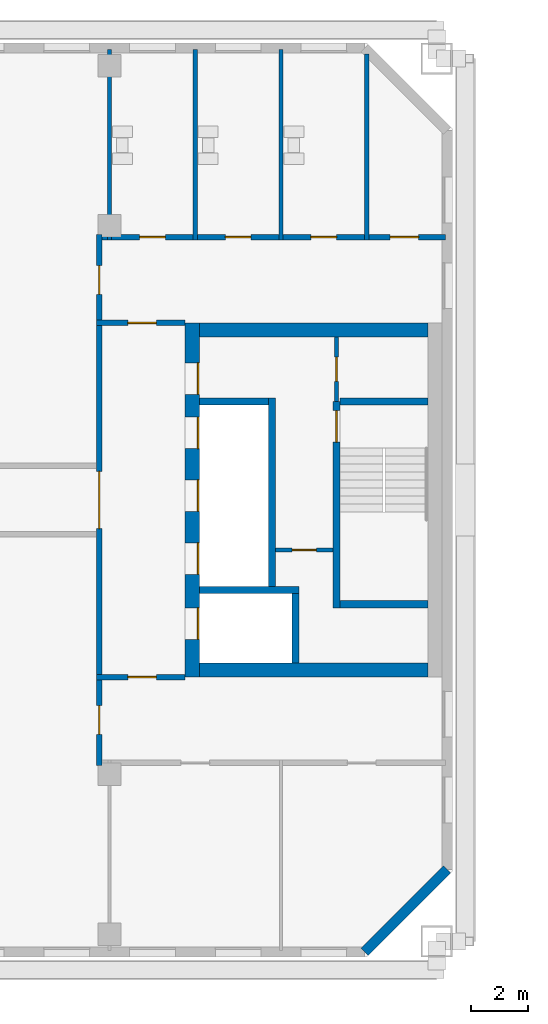
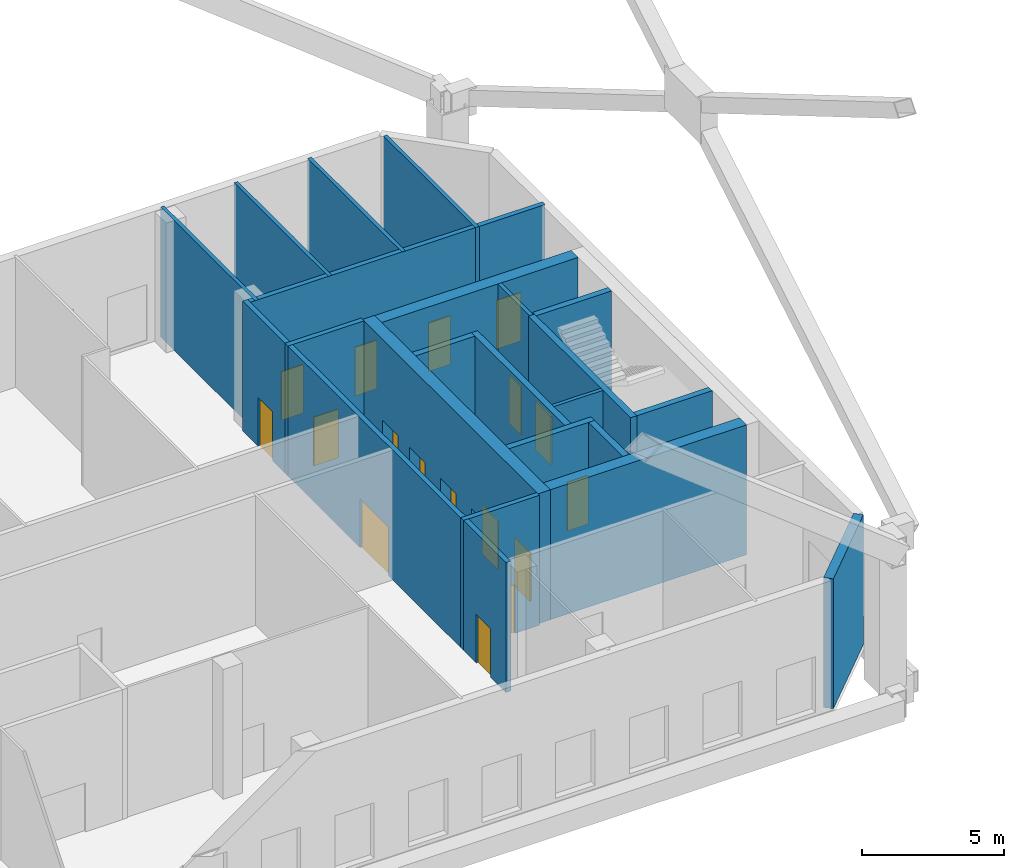
# One storey, part 11 of 20: 23 walls, 17 doors, 17 openings.
"""IFC4 building model written with IfcOpenShell, lengths in metres."""

from ifc_helpers import new_model, si_unit, direction, frame, frame_2d, origin, place, context, subcontext, project, spatial, rectangle, extrude, material, layer, layer_set, type_object, element, fill, save


model = new_model("IFC4")

# Units and contexts
model_context = context("Model", 3, precision=1e-05, world=origin(), true_north=direction((0.0, 1.0)))
body_context = subcontext(model_context, "Body", "Model", "MODEL_VIEW")
ifc_project = project(units=[si_unit("LENGTHUNIT", "METRE"), si_unit("AREAUNIT", "SQUARE_METRE"), si_unit("VOLUMEUNIT", "CUBIC_METRE"), si_unit("PLANEANGLEUNIT", "RADIAN"), si_unit("MASSUNIT", "GRAM", prefix="KILO")], contexts=[model_context])

# Site, building, storey
site_placement = place(None, origin())
site = spatial("IfcSite", under=ifc_project, at=site_placement, CompositionType="ELEMENT")
building_placement = place(site_placement, origin())
building = spatial("IfcBuilding", under=site, at=building_placement, Name="Tuart Gate Housing", CompositionType="ELEMENT")
storey_placement = place(building_placement, frame((0.0, 0.0, 142.300048828125)))
storey = spatial("IfcBuildingStorey", under=building, at=storey_placement, Name="L40", CompositionType="ELEMENT", Elevation=142.300048828125)

# Walls
ifc_material_1 = material(Name="Gypsum board on steel studs", Category="steel")
ifc_layer_1 = layer(ifc_material_1, 0.14990234375)
ifc_layer_set_1 = layer_set([ifc_layer_1], Name="Bathroom wall 150")
wall_type_1 = type_object("IfcWallType", Name="Bathroom wall 150", PredefinedType="PLUMBINGWALL", material=ifc_layer_set_1)
for number, where, z_axis, x_axis, name in (
    (1, (64.0, 79.10009765625, 0.0), (0.0, 0.0, 1.0), (0.0, 1.0, 0.0), "Bathroom wall 150"),
    (2, (67.0, 79.10009765625, 0.0), (0.0, 0.0, 1.0), (0.0, 1.0, 0.0), "Bathroom wall 150"),
    (3, (70.0, 79.10009765625, 0.0), (0.0, 0.0, 1.0), (0.0, 1.0, 0.0), "Bathroom wall 150"),
):
    element("IfcWall", number, at=place(storey_placement, frame(where, z_axis=z_axis, x_axis=x_axis)), inside=storey, type_object=wall_type_1, Name=name, PredefinedType="PLUMBINGWALL", context=body_context, shape_type="SweptSolid", body=[
        extrude(rectangle(XDim=6.659912109375, YDim=0.14990234375, at=frame_2d((3.330078125, 0.0))), origin(), (0.0, 0.0, 1.0), 5.599853515625),
    ])
wall_1_placement = place(storey_placement, frame((73.0, 79.10009765625, 0.0), z_axis=(0.0, 0.0, 1.0), x_axis=(0.0, 1.0, 0.0)))
element("IfcWall", 4, at=wall_1_placement, inside=storey, type_object=wall_type_1, Name="Bathroom wall 150", PredefinedType="PLUMBINGWALL", context=body_context, shape_type="SweptSolid", body=[
    extrude(rectangle(XDim=6.510986328125, YDim=0.14990234375, at=frame_2d((3.25537109375, 0.0))), origin(), (0.0, 0.0, 1.0), 5.599853515625),
])
ifc_material_2 = material(Name="Brick", Category="masonry")
ifc_layer_2 = layer(ifc_material_2, 0.360107421875)
ifc_layer_set_2 = layer_set([ifc_layer_2], Name="Brick pier and spandrel wall 360")
wall_type_2 = type_object("IfcWallType", Name="Brick pier and spandrel wall 360", PredefinedType="STANDARD", material=ifc_layer_set_2)
wall_2_placement = place(storey_placement, frame((72.92529296875, 54.179931640625, 0.0), z_axis=(0.0, 0.0, 1.0), x_axis=(0.707106781187, 0.707106781187, 0.0)))
element("IfcWall", 5, at=wall_2_placement, inside=storey, type_object=wall_type_2, Name="External wall A-SE L40", PredefinedType="STANDARD", context=body_context, shape_type="SweptSolid", body=[
    extrude(rectangle(XDim=4.09375, YDim=0.360107421875, at=frame_2d((2.046875, 0.0))), origin(), (0.0, 0.0, 1.0), 5.599853515625),
])

# Wall, opening, door
ifc_material_3 = material(Name="Plasterboard partition")
ifc_layer_3 = layer(ifc_material_3, 0.14990234375)
ifc_layer_set_3 = layer_set([ifc_layer_3], Name="Core partition 150")
wall_type_3 = type_object("IfcWallType", Name="Core partition 150", PredefinedType="PARTITIONING", material=ifc_layer_set_3)
wall_3_placement = place(storey_placement, frame((69.81494140625, 68.25, 0.0), z_axis=(0.0, 0.0, 1.0), x_axis=(1.0, 0.0, 0.0)))
wall_3 = element("IfcWall", 6, at=wall_3_placement, inside=storey, type_object=wall_type_3, Name="Core partition AG.3", PredefinedType="PARTITIONING", context=body_context, shape_type="SweptSolid", body=[
    extrude(rectangle(XDim=2.0, YDim=0.14990234375, at=frame_2d((1.0, 0.0))), origin(), (0.0, 0.0, 1.0), 5.599853515625),
])
opening_1_placement = place(wall_3_placement, frame((0.574951171875, 0.0, 0.0)))
opening_1 = element("IfcOpeningElement", 7, at=opening_1_placement, cuts=wall_3, Name="Opening D2950", PredefinedType="OPENING", context=body_context, shape_type="SweptSolid", body=[
    extrude(rectangle(XDim=0.85009765625, YDim=2.10009765625, at=frame_2d((0.425048828125, 1.050048828125))), frame((0.0, 0.0849609375, 0.0), z_axis=(0.0, -1.0, 0.0), x_axis=(1.0, 0.0, 0.0)), (0.0, 0.0, 1.0), 0.169921875),
])
ifc_material_4 = material(Name="Steel fire door", Category="steel")
door_type_1 = type_object("IfcDoorType", Name="Riser door 850 x 2100 RH", OperationType="SINGLE_SWING_RIGHT", PredefinedType="DOOR", material=ifc_material_4)
door_1_placement = place(opening_1_placement, frame((0.85009765625, 0.0, 0.0), z_axis=(0.0, 0.0, 1.0), x_axis=(-1.0, 0.0, 0.0)))
door_1 = element("IfcDoor", 8, at=door_1_placement, inside=storey, type_object=door_type_1, Name="Service room door AG.E1", OperationType="SINGLE_SWING_RIGHT", OverallHeight=2.10009765625, OverallWidth=0.85009765625, PredefinedType="DOOR", context=body_context, shape_type="SweptSolid", body=[
    extrude(rectangle(XDim=0.85009765625, YDim=2.10009765625, at=frame_2d((0.425048828125, 1.050048828125))), frame((0.0, 0.025146484375, 0.0), z_axis=(0.0, -1.0, 0.0), x_axis=(1.0, 0.0, 0.0)), (0.0, 0.0, 1.0), 0.050048828125),
])
fill(opening_1, door_1)

wall_4_placement = place(storey_placement, frame((71.93994140625, 73.449951171875, 0.0), z_axis=(0.0, 0.0, 1.0), x_axis=(0.0, 1.0, 0.0)))
wall_4 = element("IfcWall", 9, at=wall_4_placement, inside=storey, type_object=wall_type_3, Name="Core partition AG.9", PredefinedType="PARTITIONING", context=body_context, shape_type="SweptSolid", body=[
    extrude(rectangle(XDim=2.25, YDim=0.14990234375, at=frame_2d((1.125, 0.0))), origin(), (0.0, 0.0, 1.0), 5.599853515625),
])
opening_2_placement = place(wall_4_placement, frame((0.699951171875, 0.0, 0.0)))
opening_2 = element("IfcOpeningElement", 10, at=opening_2_placement, cuts=wall_4, Name="Opening D2939", PredefinedType="OPENING", context=body_context, shape_type="SweptSolid", body=[
    extrude(rectangle(XDim=0.85009765625, YDim=2.10009765625, at=frame_2d((0.425048828125, 1.050048828125))), frame((0.0, 0.0849609375, 0.0), z_axis=(0.0, -1.0, 0.0), x_axis=(1.0, 0.0, 0.0)), (0.0, 0.0, 1.0), 0.169921875),
])
ifc_material_5 = material(Name="Steel fire door", Category="steel")
door_type_2 = type_object("IfcDoorType", Name="Service door 850 x 2100 RH", OperationType="SINGLE_SWING_RIGHT", PredefinedType="DOOR", material=ifc_material_5)
door_2_placement = place(opening_2_placement, frame((0.85009765625, 0.0, 0.0), z_axis=(0.0, 0.0, 1.0), x_axis=(-1.0, 0.0, 0.0)))
door_2 = element("IfcDoor", 11, at=door_2_placement, inside=storey, type_object=door_type_2, Name="Service room door AG.ST", OperationType="SINGLE_SWING_RIGHT", OverallHeight=2.10009765625, OverallWidth=0.85009765625, PredefinedType="DOOR", context=body_context, shape_type="SweptSolid", body=[
    extrude(rectangle(XDim=0.85009765625, YDim=2.10009765625, at=frame_2d((0.425048828125, 1.050048828125))), frame((0.0, 0.025146484375, 0.0), z_axis=(0.0, -1.0, 0.0), x_axis=(1.0, 0.0, 0.0)), (0.0, 0.0, 1.0), 0.050048828125),
])
fill(opening_2, door_2)

# Walls
ifc_material_6 = material(Name="Concrete C40", Category="concrete")
ifc_layer_4 = layer(ifc_material_6, 0.25)
ifc_layer_set_4 = layer_set([ifc_layer_4], Name="Core wall 250 C40")
wall_type_4 = type_object("IfcWallType", Name="Core wall 250 C40", PredefinedType="SHEAR", material=ifc_layer_set_4)
wall_5_placement = place(storey_placement, frame((72.06494140625, 66.35009765625, 0.0), z_axis=(0.0, 0.0, 1.0), x_axis=(1.0, 0.0, 0.0)))
element("IfcWall", 12, at=wall_5_placement, inside=storey, type_object=wall_type_4, Name="Core wall AG.1", PredefinedType="SHEAR", context=body_context, shape_type="SweptSolid", body=[
    extrude(rectangle(XDim=3.074951171875, YDim=0.25, at=frame_2d((1.53759765625, 0.0))), origin(), (0.0, 0.0, 1.0), 5.599853515625),
])
wall_6_placement = place(storey_placement, frame((67.139892578125, 66.85009765625, 0.0), z_axis=(0.0, 0.0, 1.0), x_axis=(1.0, 0.0, 0.0)))
element("IfcWall", 13, at=wall_6_placement, inside=storey, type_object=wall_type_4, Name="Core wall AG.2", PredefinedType="SHEAR", context=body_context, shape_type="SweptSolid", body=[
    extrude(rectangle(XDim=3.4951171875, YDim=0.25, at=frame_2d((1.74755859375, 0.0))), origin(), (0.0, 0.0, 1.0), 5.599853515625),
])
wall_7_placement = place(storey_placement, frame((67.139892578125, 73.449951171875, 0.0), z_axis=(0.0, 0.0, 1.0), x_axis=(1.0, 0.0, 0.0)))
element("IfcWall", 14, at=wall_7_placement, inside=storey, type_object=wall_type_4, Name="Core wall AG.4", PredefinedType="SHEAR", context=body_context, shape_type="SweptSolid", body=[
    extrude(rectangle(XDim=2.425048828125, YDim=0.25, at=frame_2d((1.21240234375, 0.0))), origin(), (0.0, 0.0, 1.0), 5.599853515625),
])
wall_8_placement = place(storey_placement, frame((72.06494140625, 73.449951171875, 0.0), z_axis=(0.0, 0.0, 1.0), x_axis=(1.0, 0.0, 0.0)))
element("IfcWall", 15, at=wall_8_placement, inside=storey, type_object=wall_type_4, Name="Core wall AG.5", PredefinedType="SHEAR", context=body_context, shape_type="SweptSolid", body=[
    extrude(rectangle(XDim=3.074951171875, YDim=0.25, at=frame_2d((1.53759765625, 0.0))), origin(), (0.0, 0.0, 1.0), 5.599853515625),
])
wall_9_placement = place(storey_placement, frame((69.68994140625, 66.97509765625, 0.0), z_axis=(0.0, 0.0, 1.0), x_axis=(0.0, 1.0, 0.0)))
element("IfcWall", 16, at=wall_9_placement, inside=storey, type_object=wall_type_4, Name="Core wall AG.6", PredefinedType="SHEAR", context=body_context, shape_type="SweptSolid", body=[
    extrude(rectangle(XDim=6.599853515625, YDim=0.25, at=frame_2d((3.2998046875, 0.0))), origin(), (0.0, 0.0, 1.0), 5.599853515625),
])
wall_10_placement = place(storey_placement, frame((70.510009765625, 64.300048828125, 0.0), z_axis=(0.0, 0.0, 1.0), x_axis=(0.0, 1.0, 0.0)))
element("IfcWall", 17, at=wall_10_placement, inside=storey, type_object=wall_type_4, Name="Core wall AG.7", PredefinedType="SHEAR", context=body_context, shape_type="SweptSolid", body=[
    extrude(rectangle(XDim=2.425048828125, YDim=0.25, at=frame_2d((1.21240234375, 0.0))), origin(), (0.0, 0.0, 1.0), 5.599853515625),
])

# Wall, opening, door
wall_11_placement = place(storey_placement, frame((71.93994140625, 66.22509765625, 0.0), z_axis=(0.0, 0.0, 1.0), x_axis=(0.0, 1.0, 0.0)))
wall_11 = element("IfcWall", 18, at=wall_11_placement, inside=storey, type_object=wall_type_4, Name="Core wall AG.8", PredefinedType="SHEAR", context=body_context, shape_type="SweptSolid", body=[
    extrude(rectangle(XDim=7.224853515625, YDim=0.25, at=frame_2d((3.6123046875, 0.0))), origin(), (0.0, 0.0, 1.0), 5.599853515625),
])
opening_3_placement = place(wall_11_placement, frame((5.800048828125, 0.0, 0.0)))
opening_3 = element("IfcOpeningElement", 19, at=opening_3_placement, cuts=wall_11, Name="Opening D2948", PredefinedType="OPENING", context=body_context, shape_type="SweptSolid", body=[
    extrude(rectangle(XDim=1.10009765625, YDim=2.10009765625, at=frame_2d((0.550048828125, 1.050048828125))), frame((0.0, 0.135009765625, 0.0), z_axis=(0.0, -1.0, 0.0), x_axis=(1.0, 0.0, 0.0)), (0.0, 0.0, 1.0), 0.27001953125),
])
ifc_material_7 = material(Name="Steel fire door", Category="steel")
door_type_3 = type_object("IfcDoorType", Name="Stair door 1100 x 2100", OperationType="SINGLE_SWING_LEFT", PredefinedType="DOOR", material=ifc_material_7)
door_3_placement = place(opening_3_placement, frame((1.10009765625, 0.0, 0.0), z_axis=(0.0, 0.0, 1.0), x_axis=(-1.0, 0.0, 0.0)))
door_3 = element("IfcDoor", 20, at=door_3_placement, inside=storey, type_object=door_type_3, Name="Stair door AG.SD", OperationType="SINGLE_SWING_LEFT", OverallHeight=2.10009765625, OverallWidth=1.10009765625, PredefinedType="DOOR", context=body_context, shape_type="SweptSolid", body=[
    extrude(rectangle(XDim=1.10009765625, YDim=2.10009765625, at=frame_2d((0.550048828125, 1.050048828125))), frame((0.0, 0.025146484375, 0.0), z_axis=(0.0, -1.0, 0.0), x_axis=(1.0, 0.0, 0.0)), (0.0, 0.0, 1.0), 0.050048828125),
])
fill(opening_3, door_3)

# Wall, openings, doors
ifc_material_8 = material(Name="Concrete C40", Category="concrete")
ifc_layer_5 = layer(ifc_material_8, 0.5)
ifc_layer_set_5 = layer_set([ifc_layer_5], Name="Core wall 500 C40")
wall_type_5 = type_object("IfcWallType", Name="Core wall 500 C40", PredefinedType="SHEAR", material=ifc_layer_set_5)
wall_12_placement = place(storey_placement, frame((66.889892578125, 63.800048828125, 0.0), z_axis=(0.0, 0.0, 1.0), x_axis=(0.0, 1.0, 0.0)))
wall_12 = element("IfcWall", 21, at=wall_12_placement, inside=storey, type_object=wall_type_5, Name="Core wall AG front", PredefinedType="SHEAR", context=body_context, shape_type="SweptSolid", body=[
    extrude(rectangle(XDim=12.39990234375, YDim=0.5, at=frame_2d((6.199951171875, 0.0))), origin(), (0.0, 0.0, 1.0), 5.599853515625),
])
opening_4_placement = place(wall_12_placement, frame((1.324951171875, 0.0, 0.0)))
opening_4 = element("IfcOpeningElement", 22, at=opening_4_placement, cuts=wall_12, Name="Opening LD-FA1", PredefinedType="OPENING", context=body_context, shape_type="SweptSolid", body=[
    extrude(rectangle(XDim=1.10009765625, YDim=2.10009765625, at=frame_2d((0.550048828125, 1.050048828125))), frame((0.0, 0.260009765625, 0.0), z_axis=(0.0, -1.0, 0.0), x_axis=(1.0, 0.0, 0.0)), (0.0, 0.0, 1.0), 0.52001953125),
])
opening_5_placement = place(wall_12_placement, frame((3.60009765625, 0.0, 0.0)))
opening_5 = element("IfcOpeningElement", 23, at=opening_5_placement, cuts=wall_12, Name="Opening LD-LA1", PredefinedType="OPENING", context=body_context, shape_type="SweptSolid", body=[
    extrude(rectangle(XDim=1.10009765625, YDim=2.10009765625, at=frame_2d((0.550048828125, 1.050048828125))), frame((0.0, 0.260009765625, 0.0), z_axis=(0.0, -1.0, 0.0), x_axis=(1.0, 0.0, 0.0)), (0.0, 0.0, 1.0), 0.52001953125),
])
opening_6_placement = place(wall_12_placement, frame((5.800048828125, 0.0, 0.0)))
opening_6 = element("IfcOpeningElement", 24, at=opening_6_placement, cuts=wall_12, Name="Opening LD-LA2", PredefinedType="OPENING", context=body_context, shape_type="SweptSolid", body=[
    extrude(rectangle(XDim=1.10009765625, YDim=2.10009765625, at=frame_2d((0.550048828125, 1.050048828125))), frame((0.0, 0.260009765625, 0.0), z_axis=(0.0, -1.0, 0.0), x_axis=(1.0, 0.0, 0.0)), (0.0, 0.0, 1.0), 0.52001953125),
])
opening_7_placement = place(wall_12_placement, frame((8.0, 0.0, 0.0)))
opening_7 = element("IfcOpeningElement", 25, at=opening_7_placement, cuts=wall_12, Name="Opening LD-LA3", PredefinedType="OPENING", context=body_context, shape_type="SweptSolid", body=[
    extrude(rectangle(XDim=1.10009765625, YDim=2.10009765625, at=frame_2d((0.550048828125, 1.050048828125))), frame((0.0, 0.260009765625, 0.0), z_axis=(0.0, -1.0, 0.0), x_axis=(1.0, 0.0, 0.0)), (0.0, 0.0, 1.0), 0.52001953125),
])
opening_8_placement = place(wall_12_placement, frame((9.89990234375, 0.0, 0.0)))
opening_8 = element("IfcOpeningElement", 26, at=opening_8_placement, cuts=wall_12, Name="Opening D2947", PredefinedType="OPENING", context=body_context, shape_type="SweptSolid", body=[
    extrude(rectangle(XDim=1.10009765625, YDim=2.10009765625, at=frame_2d((0.550048828125, 1.050048828125))), frame((0.0, 0.260009765625, 0.0), z_axis=(0.0, -1.0, 0.0), x_axis=(1.0, 0.0, 0.0)), (0.0, 0.0, 1.0), 0.52001953125),
])
ifc_material_9 = material(Name="Stainless steel", Category="steel")
door_type_4 = type_object("IfcDoorType", Name="Landing door 1100 x 2100", OperationType="DOUBLE_DOOR_SLIDING", PredefinedType="DOOR", material=ifc_material_9)
door_4_placement = place(opening_4_placement, origin())
door_4 = element("IfcDoor", 27, at=door_4_placement, inside=storey, type_object=door_type_4, Name="Lift landing door FA1", OperationType="DOUBLE_DOOR_SLIDING", OverallHeight=2.10009765625, OverallWidth=1.10009765625, PredefinedType="DOOR", context=body_context, shape_type="SweptSolid", body=[
    extrude(rectangle(XDim=1.10009765625, YDim=2.10009765625, at=frame_2d((0.550048828125, 1.050048828125))), frame((0.0, -0.18505859375, 0.0), z_axis=(0.0, -1.0, 0.0), x_axis=(1.0, 0.0, 0.0)), (0.0, 0.0, 1.0), 0.050048828125),
])
fill(opening_4, door_4)
door_5_placement = place(opening_5_placement, origin())
door_5 = element("IfcDoor", 28, at=door_5_placement, inside=storey, type_object=door_type_4, Name="Lift landing door LA1", OperationType="DOUBLE_DOOR_SLIDING", OverallHeight=2.10009765625, OverallWidth=1.10009765625, PredefinedType="DOOR", context=body_context, shape_type="SweptSolid", body=[
    extrude(rectangle(XDim=1.10009765625, YDim=2.10009765625, at=frame_2d((0.550048828125, 1.050048828125))), frame((0.0, -0.18505859375, 0.0), z_axis=(0.0, -1.0, 0.0), x_axis=(1.0, 0.0, 0.0)), (0.0, 0.0, 1.0), 0.050048828125),
])
fill(opening_5, door_5)
door_6_placement = place(opening_6_placement, origin())
door_6 = element("IfcDoor", 29, at=door_6_placement, inside=storey, type_object=door_type_4, Name="Lift landing door LA2", OperationType="DOUBLE_DOOR_SLIDING", OverallHeight=2.10009765625, OverallWidth=1.10009765625, PredefinedType="DOOR", context=body_context, shape_type="SweptSolid", body=[
    extrude(rectangle(XDim=1.10009765625, YDim=2.10009765625, at=frame_2d((0.550048828125, 1.050048828125))), frame((0.0, -0.18505859375, 0.0), z_axis=(0.0, -1.0, 0.0), x_axis=(1.0, 0.0, 0.0)), (0.0, 0.0, 1.0), 0.050048828125),
])
fill(opening_6, door_6)
door_7_placement = place(opening_7_placement, origin())
door_7 = element("IfcDoor", 30, at=door_7_placement, inside=storey, type_object=door_type_4, Name="Lift landing door LA3", OperationType="DOUBLE_DOOR_SLIDING", OverallHeight=2.10009765625, OverallWidth=1.10009765625, PredefinedType="DOOR", context=body_context, shape_type="SweptSolid", body=[
    extrude(rectangle(XDim=1.10009765625, YDim=2.10009765625, at=frame_2d((0.550048828125, 1.050048828125))), frame((0.0, -0.18505859375, 0.0), z_axis=(0.0, -1.0, 0.0), x_axis=(1.0, 0.0, 0.0)), (0.0, 0.0, 1.0), 0.050048828125),
])
fill(opening_7, door_7)
ifc_material_10 = material(Name="Steel fire door", Category="steel")
door_type_5 = type_object("IfcDoorType", Name="Lobby door 1100 x 2100 RH", OperationType="SINGLE_SWING_RIGHT", PredefinedType="DOOR", material=ifc_material_10)
door_8_placement = place(opening_8_placement, frame((1.10009765625, 0.0, 0.0), z_axis=(0.0, 0.0, 1.0), x_axis=(-1.0, 0.0, 0.0)))
door_8 = element("IfcDoor", 31, at=door_8_placement, inside=storey, type_object=door_type_5, Name="Lobby entry door AG.EN", OperationType="SINGLE_SWING_RIGHT", OverallHeight=2.10009765625, OverallWidth=1.10009765625, PredefinedType="DOOR", context=body_context, shape_type="SweptSolid", body=[
    extrude(rectangle(XDim=1.10009765625, YDim=2.10009765625, at=frame_2d((0.550048828125, 1.050048828125))), frame((0.0, 0.235107421875, 0.0), z_axis=(0.0, -1.0, 0.0), x_axis=(1.0, 0.0, 0.0)), (0.0, 0.0, 1.0), 0.050048828125),
])
fill(opening_8, door_8)

# Walls
for number, where, z_axis, x_axis, name in (
    (32, (67.139892578125, 64.050048828125, 0.0), (0.0, 0.0, 1.0), (1.0, 0.0, 0.0), "Core wall AG south"),
    (33, (67.139892578125, 75.949951171875, 0.0), (0.0, 0.0, 1.0), (1.0, 0.0, 0.0), "Core wall AG north"),
):
    element("IfcWall", number, at=place(storey_placement, frame(where, z_axis=z_axis, x_axis=x_axis)), inside=storey, type_object=wall_type_5, Name=name, PredefinedType="SHEAR", context=body_context, shape_type="SweptSolid", body=[
        extrude(rectangle(XDim=8.0, YDim=0.5, at=frame_2d((4.0, 0.0))), origin(), (0.0, 0.0, 1.0), 5.599853515625),
    ])

# Wall, openings, doors
ifc_material_11 = material(Name="Concrete masonry 15 MPa", Category="masonry")
ifc_layer_6 = layer(ifc_material_11, 0.199951171875)
ifc_layer_set_6 = layer_set([ifc_layer_6], Name="Corridor wall masonry 200")
wall_type_6 = type_object("IfcWallType", Name="Corridor wall masonry 200", PredefinedType="PARTITIONING", material=ifc_layer_set_6)
wall_13_placement = place(storey_placement, frame((63.5400390625, 79.199951171875, 0.0), z_axis=(0.0, 0.0, 1.0), x_axis=(1.0, 0.0, 0.0)))
wall_13 = element("IfcWall", 34, at=wall_13_placement, inside=storey, type_object=wall_type_6, Name="Corridor wall masonry 200", PredefinedType="PARTITIONING", context=body_context, shape_type="SweptSolid", body=[
    extrude(rectangle(XDim=12.219970703125, YDim=0.199951171875, at=frame_2d((6.10986328125, 0.0))), origin(), (0.0, 0.0, 1.0), 5.599853515625),
])
opening_9_placement = place(wall_13_placement, frame((1.510009765625, 0.0, 0.0)))
opening_9 = element("IfcOpeningElement", 35, at=opening_9_placement, cuts=wall_13, Name="Opening D2932", PredefinedType="OPENING", context=body_context, shape_type="SweptSolid", body=[
    extrude(rectangle(XDim=0.89990234375, YDim=2.10009765625, at=frame_2d((0.449951171875, 1.050048828125))), frame((0.0, 0.10986328125, 0.0), z_axis=(0.0, -1.0, 0.0), x_axis=(1.0, 0.0, 0.0)), (0.0, 0.0, 1.0), 0.219970703125),
])
opening_10_placement = place(wall_13_placement, frame((4.510009765625, 0.0, 0.0)))
opening_10 = element("IfcOpeningElement", 36, at=opening_10_placement, cuts=wall_13, Name="Opening D2933", PredefinedType="OPENING", context=body_context, shape_type="SweptSolid", body=[
    extrude(rectangle(XDim=0.89990234375, YDim=2.10009765625, at=frame_2d((0.449951171875, 1.050048828125))), frame((0.0, 0.10986328125, 0.0), z_axis=(0.0, -1.0, 0.0), x_axis=(1.0, 0.0, 0.0)), (0.0, 0.0, 1.0), 0.219970703125),
])
opening_11_placement = place(wall_13_placement, frame((7.510009765625, 0.0, 0.0)))
opening_11 = element("IfcOpeningElement", 37, at=opening_11_placement, cuts=wall_13, Name="Opening D2934", PredefinedType="OPENING", context=body_context, shape_type="SweptSolid", body=[
    extrude(rectangle(XDim=0.89990234375, YDim=2.10009765625, at=frame_2d((0.449951171875, 1.050048828125))), frame((0.0, 0.10986328125, 0.0), z_axis=(0.0, -1.0, 0.0), x_axis=(1.0, 0.0, 0.0)), (0.0, 0.0, 1.0), 0.219970703125),
])
opening_12_placement = place(wall_13_placement, frame((10.280029296875, 0.0, 0.0)))
opening_12 = element("IfcOpeningElement", 38, at=opening_12_placement, cuts=wall_13, Name="Opening D2931", PredefinedType="OPENING", context=body_context, shape_type="SweptSolid", body=[
    extrude(rectangle(XDim=1.0, YDim=2.10009765625, at=frame_2d((0.5, 1.050048828125))), frame((0.0, 0.10986328125, 0.0), z_axis=(0.0, -1.0, 0.0), x_axis=(1.0, 0.0, 0.0)), (0.0, 0.0, 1.0), 0.219970703125),
])
ifc_material_12 = material(Name="Timber door leaf in steel frame", Category="steel")
door_type_6 = type_object("IfcDoorType", Name="Fire door 1000", OperationType="SINGLE_SWING_LEFT", PredefinedType="DOOR", material=ifc_material_12)
door_9_placement = place(opening_12_placement, origin())
door_9 = element("IfcDoor", 39, at=door_9_placement, inside=storey, type_object=door_type_6, Name="Fire door 1000", OperationType="SINGLE_SWING_LEFT", OverallHeight=2.10009765625, OverallWidth=1.0, PredefinedType="DOOR", context=body_context, shape_type="SweptSolid", body=[
    extrude(rectangle(XDim=1.0, YDim=2.10009765625, at=frame_2d((0.5, 1.050048828125))), frame((0.0, 0.02490234375, 0.0), z_axis=(0.0, -1.0, 0.0), x_axis=(1.0, 0.0, 0.0)), (0.0, 0.0, 1.0), 0.050048828125),
])
fill(opening_12, door_9)
ifc_material_13 = material(Name="Timber door leaf in steel frame", Category="steel")
door_type_7 = type_object("IfcDoorType", Name="Fire door 900", OperationType="SINGLE_SWING_LEFT", PredefinedType="DOOR", material=ifc_material_13)
door_10_placement = place(opening_9_placement, origin())
door_10 = element("IfcDoor", 40, at=door_10_placement, inside=storey, type_object=door_type_7, Name="Fire door 900", OperationType="SINGLE_SWING_LEFT", OverallHeight=2.10009765625, OverallWidth=0.89990234375, PredefinedType="DOOR", context=body_context, shape_type="SweptSolid", body=[
    extrude(rectangle(XDim=0.89990234375, YDim=2.10009765625, at=frame_2d((0.449951171875, 1.050048828125))), frame((0.0, 0.02490234375, 0.0), z_axis=(0.0, -1.0, 0.0), x_axis=(1.0, 0.0, 0.0)), (0.0, 0.0, 1.0), 0.050048828125),
])
fill(opening_9, door_10)
door_11_placement = place(opening_10_placement, origin())
door_11 = element("IfcDoor", 41, at=door_11_placement, inside=storey, type_object=door_type_7, Name="Fire door 900", OperationType="SINGLE_SWING_LEFT", OverallHeight=2.10009765625, OverallWidth=0.89990234375, PredefinedType="DOOR", context=body_context, shape_type="SweptSolid", body=[
    extrude(rectangle(XDim=0.89990234375, YDim=2.10009765625, at=frame_2d((0.449951171875, 1.050048828125))), frame((0.0, 0.02490234375, 0.0), z_axis=(0.0, -1.0, 0.0), x_axis=(1.0, 0.0, 0.0)), (0.0, 0.0, 1.0), 0.050048828125),
])
fill(opening_10, door_11)
door_12_placement = place(opening_11_placement, origin())
door_12 = element("IfcDoor", 42, at=door_12_placement, inside=storey, type_object=door_type_7, Name="Fire door 900", OperationType="SINGLE_SWING_LEFT", OverallHeight=2.10009765625, OverallWidth=0.89990234375, PredefinedType="DOOR", context=body_context, shape_type="SweptSolid", body=[
    extrude(rectangle(XDim=0.89990234375, YDim=2.10009765625, at=frame_2d((0.449951171875, 1.050048828125))), frame((0.0, 0.02490234375, 0.0), z_axis=(0.0, -1.0, 0.0), x_axis=(1.0, 0.0, 0.0)), (0.0, 0.0, 1.0), 0.050048828125),
])
fill(opening_11, door_12)

# Wall, opening, door
wall_14_placement = place(storey_placement, frame((63.639892578125, 60.699951171875, 0.0), z_axis=(0.0, 0.0, 1.0), x_axis=(0.0, 1.0, 0.0)))
wall_14 = element("IfcWall", 43, at=wall_14_placement, inside=storey, type_object=wall_type_6, Name="Corridor wall masonry 200", PredefinedType="PARTITIONING", context=body_context, shape_type="SweptSolid", body=[
    extrude(rectangle(XDim=3.199951171875, YDim=0.199951171875, at=frame_2d((1.60009765625, 0.0))), origin(), (0.0, 0.0, 1.0), 5.599853515625),
])
opening_13_placement = place(wall_14_placement, frame((1.10009765625, 0.0, 0.0)))
opening_13 = element("IfcOpeningElement", 44, at=opening_13_placement, cuts=wall_14, Name="Opening D2956", PredefinedType="OPENING", context=body_context, shape_type="SweptSolid", body=[
    extrude(rectangle(XDim=1.0, YDim=2.10009765625, at=frame_2d((0.5, 1.050048828125))), frame((0.0, 0.10986328125, 0.0), z_axis=(0.0, -1.0, 0.0), x_axis=(1.0, 0.0, 0.0)), (0.0, 0.0, 1.0), 0.219970703125),
])
ifc_material_14 = material(Name="Timber door leaf in steel frame", Category="steel")
door_type_8 = type_object("IfcDoorType", Name="Fire door 1000 RH", OperationType="SINGLE_SWING_RIGHT", PredefinedType="DOOR", material=ifc_material_14)
door_13_placement = place(opening_13_placement, origin())
door_13 = element("IfcDoor", 45, at=door_13_placement, inside=storey, type_object=door_type_8, Name="Fire door 1000", OperationType="SINGLE_SWING_RIGHT", OverallHeight=2.10009765625, OverallWidth=1.0, PredefinedType="DOOR", context=body_context, shape_type="SweptSolid", body=[
    extrude(rectangle(XDim=1.0, YDim=2.10009765625, at=frame_2d((0.5, 1.050048828125))), frame((0.0, 0.02490234375, 0.0), z_axis=(0.0, -1.0, 0.0), x_axis=(1.0, 0.0, 0.0)), (0.0, 0.0, 1.0), 0.050048828125),
])
fill(opening_13, door_13)

wall_15_placement = place(storey_placement, frame((63.639892578125, 76.10009765625, 0.0), z_axis=(0.0, 0.0, 1.0), x_axis=(0.0, 1.0, 0.0)))
wall_15 = element("IfcWall", 46, at=wall_15_placement, inside=storey, type_object=wall_type_6, Name="Corridor wall masonry 200", PredefinedType="PARTITIONING", context=body_context, shape_type="SweptSolid", body=[
    extrude(rectangle(XDim=3.199951171875, YDim=0.199951171875, at=frame_2d((1.60009765625, 0.0))), origin(), (0.0, 0.0, 1.0), 5.599853515625),
])
opening_14_placement = place(wall_15_placement, frame((1.10009765625, 0.0, 0.0)))
opening_14 = element("IfcOpeningElement", 47, at=opening_14_placement, cuts=wall_15, Name="Opening D2936", PredefinedType="OPENING", context=body_context, shape_type="SweptSolid", body=[
    extrude(rectangle(XDim=1.0, YDim=2.10009765625, at=frame_2d((0.5, 1.050048828125))), frame((0.0, 0.10986328125, 0.0), z_axis=(0.0, -1.0, 0.0), x_axis=(1.0, 0.0, 0.0)), (0.0, 0.0, 1.0), 0.219970703125),
])
door_14_placement = place(opening_14_placement, origin())
door_14 = element("IfcDoor", 48, at=door_14_placement, inside=storey, type_object=door_type_6, Name="Fire door 1000", OperationType="SINGLE_SWING_LEFT", OverallHeight=2.10009765625, OverallWidth=1.0, PredefinedType="DOOR", context=body_context, shape_type="SweptSolid", body=[
    extrude(rectangle(XDim=1.0, YDim=2.10009765625, at=frame_2d((0.5, 1.050048828125))), frame((0.0, 0.02490234375, 0.0), z_axis=(0.0, -1.0, 0.0), x_axis=(1.0, 0.0, 0.0)), (0.0, 0.0, 1.0), 0.050048828125),
])
fill(opening_14, door_14)

ifc_material_15 = material(Name="Concrete masonry 15 MPa", Category="masonry")
ifc_layer_7 = layer(ifc_material_15, 0.199951171875)
ifc_layer_set_7 = layer_set([ifc_layer_7], Name="Enclosure wall masonry 200")
wall_type_7 = type_object("IfcWallType", Name="Enclosure wall masonry 200", PredefinedType="PARTITIONING", material=ifc_layer_set_7)
wall_16_placement = place(storey_placement, frame((63.5400390625, 63.800048828125, 0.0), z_axis=(0.0, 0.0, 1.0), x_axis=(1.0, 0.0, 0.0)))
wall_16 = element("IfcWall", 49, at=wall_16_placement, inside=storey, type_object=wall_type_7, Name="Enclosure wall masonry 200", PredefinedType="PARTITIONING", context=body_context, shape_type="SweptSolid", body=[
    extrude(rectangle(XDim=3.099853515625, YDim=0.199951171875, at=frame_2d((1.5498046875, 0.0))), origin(), (0.0, 0.0, 1.0), 5.599853515625),
])
opening_15_placement = place(wall_16_placement, frame((1.10009765625, 0.0, 0.0)))
opening_15 = element("IfcOpeningElement", 50, at=opening_15_placement, cuts=wall_16, Name="Opening D2955", PredefinedType="OPENING", context=body_context, shape_type="SweptSolid", body=[
    extrude(rectangle(XDim=1.0, YDim=2.10009765625, at=frame_2d((0.5, 1.050048828125))), frame((0.0, 0.10986328125, 0.0), z_axis=(0.0, -1.0, 0.0), x_axis=(1.0, 0.0, 0.0)), (0.0, 0.0, 1.0), 0.219970703125),
])
ifc_material_16 = material(Name="Timber door leaf in steel frame", Category="steel")
door_type_9 = type_object("IfcDoorType", Name="Lobby door 1000 RH", OperationType="SINGLE_SWING_RIGHT", PredefinedType="DOOR", material=ifc_material_16)
door_15_placement = place(opening_15_placement, frame((1.0, 0.0, 0.0), z_axis=(0.0, 0.0, 1.0), x_axis=(-1.0, 0.0, 0.0)))
door_15 = element("IfcDoor", 51, at=door_15_placement, inside=storey, type_object=door_type_9, Name="Lobby door 1000", OperationType="SINGLE_SWING_RIGHT", OverallHeight=2.10009765625, OverallWidth=1.0, PredefinedType="DOOR", context=body_context, shape_type="SweptSolid", body=[
    extrude(rectangle(XDim=1.0, YDim=2.10009765625, at=frame_2d((0.5, 1.050048828125))), frame((0.0, 0.025146484375, 0.0), z_axis=(0.0, -1.0, 0.0), x_axis=(1.0, 0.0, 0.0)), (0.0, 0.0, 1.0), 0.050048828125),
])
fill(opening_15, door_15)

wall_17_placement = place(storey_placement, frame((63.5400390625, 76.199951171875, 0.0), z_axis=(0.0, 0.0, 1.0), x_axis=(1.0, 0.0, 0.0)))
wall_17 = element("IfcWall", 52, at=wall_17_placement, inside=storey, type_object=wall_type_7, Name="Enclosure wall masonry 200", PredefinedType="PARTITIONING", context=body_context, shape_type="SweptSolid", body=[
    extrude(rectangle(XDim=3.099853515625, YDim=0.199951171875, at=frame_2d((1.5498046875, 0.0))), origin(), (0.0, 0.0, 1.0), 5.599853515625),
])
opening_16_placement = place(wall_17_placement, frame((1.10009765625, 0.0, 0.0)))
opening_16 = element("IfcOpeningElement", 53, at=opening_16_placement, cuts=wall_17, Name="Opening D2938", PredefinedType="OPENING", context=body_context, shape_type="SweptSolid", body=[
    extrude(rectangle(XDim=1.0, YDim=2.10009765625, at=frame_2d((0.5, 1.050048828125))), frame((0.0, 0.10986328125, 0.0), z_axis=(0.0, -1.0, 0.0), x_axis=(1.0, 0.0, 0.0)), (0.0, 0.0, 1.0), 0.219970703125),
])
ifc_material_17 = material(Name="Timber door leaf in steel frame", Category="steel")
door_type_10 = type_object("IfcDoorType", Name="Lobby door 1000", OperationType="SINGLE_SWING_LEFT", PredefinedType="DOOR", material=ifc_material_17)
door_16_placement = place(opening_16_placement, origin())
door_16 = element("IfcDoor", 54, at=door_16_placement, inside=storey, type_object=door_type_10, Name="Lobby door 1000", OperationType="SINGLE_SWING_LEFT", OverallHeight=2.10009765625, OverallWidth=1.0, PredefinedType="DOOR", context=body_context, shape_type="SweptSolid", body=[
    extrude(rectangle(XDim=1.0, YDim=2.10009765625, at=frame_2d((0.5, 1.050048828125))), frame((0.0, 0.02490234375, 0.0), z_axis=(0.0, -1.0, 0.0), x_axis=(1.0, 0.0, 0.0)), (0.0, 0.0, 1.0), 0.050048828125),
])
fill(opening_16, door_16)

ifc_material_18 = material(Name="Plasterboard partition")
ifc_layer_8 = layer(ifc_material_18, 0.199951171875)
ifc_layer_set_8 = layer_set([ifc_layer_8], Name="Lobby wall 200")
wall_type_8 = type_object("IfcWallType", Name="Lobby wall 200", PredefinedType="PARTITIONING", material=ifc_layer_set_8)
wall_18_placement = place(storey_placement, frame((63.639892578125, 63.89990234375, 0.0), z_axis=(0.0, 0.0, 1.0), x_axis=(0.0, 1.0, 0.0)))
wall_18 = element("IfcWall", 55, at=wall_18_placement, inside=storey, type_object=wall_type_8, Name="Lift lobby wall AG", PredefinedType="PARTITIONING", context=body_context, shape_type="SweptSolid", body=[
    extrude(rectangle(XDim=12.2001953125, YDim=0.199951171875, at=frame_2d((6.10009765625, 0.0))), origin(), (0.0, 0.0, 1.0), 5.599853515625),
])
opening_17_placement = place(wall_18_placement, frame((5.10009765625, 0.0, 0.0)))
opening_17 = element("IfcOpeningElement", 56, at=opening_17_placement, cuts=wall_18, Name="Opening D2946", PredefinedType="OPENING", context=body_context, shape_type="SweptSolid", body=[
    extrude(rectangle(XDim=2.0, YDim=2.10009765625, at=frame_2d((1.0, 1.050048828125))), frame((0.0, 0.10986328125, 0.0), z_axis=(0.0, -1.0, 0.0), x_axis=(1.0, 0.0, 0.0)), (0.0, 0.0, 1.0), 0.219970703125),
])
ifc_material_19 = material(Name="Steel fire door", Category="steel")
door_type_11 = type_object("IfcDoorType", Name="Smoke door 2000 x 2100", OperationType="DOUBLE_DOOR_SINGLE_SWING", PredefinedType="DOOR", material=ifc_material_19)
door_17_placement = place(opening_17_placement, frame((2.0, 0.0, 0.0), z_axis=(0.0, 0.0, 1.0), x_axis=(-1.0, 0.0, 0.0)))
door_17 = element("IfcDoor", 57, at=door_17_placement, inside=storey, type_object=door_type_11, Name="Lift lobby smoke door AG", OperationType="DOUBLE_DOOR_SINGLE_SWING", OverallHeight=2.10009765625, OverallWidth=2.0, PredefinedType="DOOR", context=body_context, shape_type="SweptSolid", body=[
    extrude(rectangle(XDim=2.0, YDim=2.10009765625, at=frame_2d((1.0, 1.050048828125))), frame((0.0, 0.025146484375, 0.0), z_axis=(0.0, -1.0, 0.0), x_axis=(1.0, 0.0, 0.0)), (0.0, 0.0, 1.0), 0.050048828125),
])
fill(opening_17, door_17)

save(model, "model.ifc")
